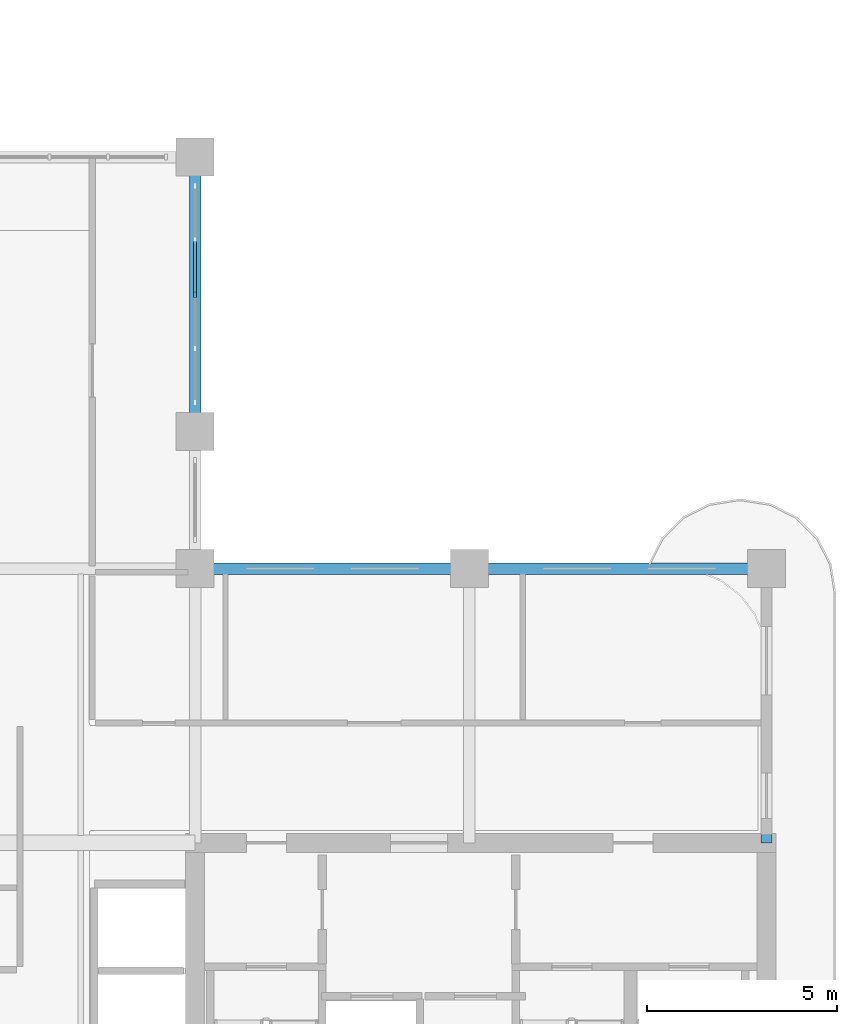
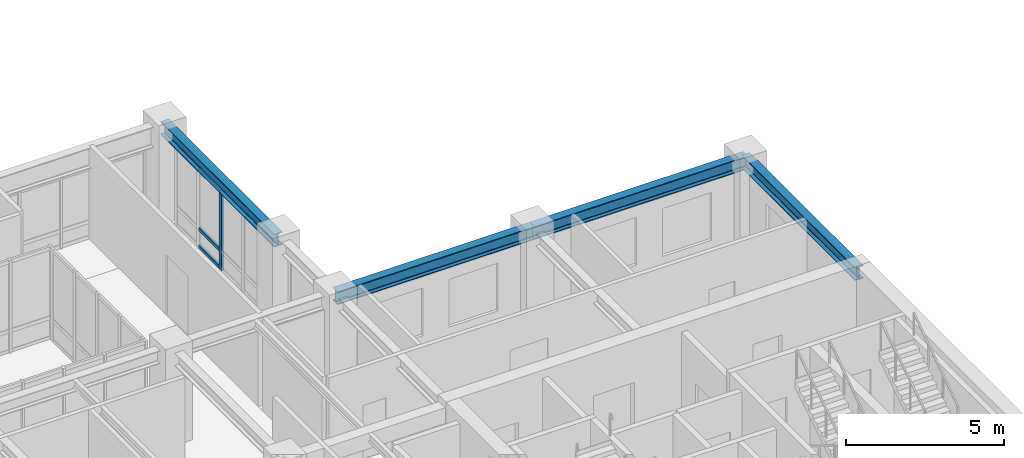
# One storey, part 4 of 21: 4 beams, 4 members, 1 element without a shape of its own.
"""IFC4 building model written with IfcOpenShell, lengths in metres."""

from ifc_helpers import new_model, si_unit, derived_unit, direction, frame, origin, origin_2d, place, context, subcontext, project, spatial, rectangle, i_section, extrude, source, transform, mapped, material, layer, layer_set, material_profile, profile_set, type_object, type_shapes, element, aggregate, save


model = new_model("IFC4")

# Units and contexts
model_context = context("Model", 3, precision=1e-05, world=origin(), true_north=direction((0.0, 1.0)))
body_context = subcontext(model_context, "Body", "Model", "MODEL_VIEW")
ifc_project = project(units=[si_unit("LENGTHUNIT", "METRE"), si_unit("AREAUNIT", "SQUARE_METRE"), si_unit("VOLUMEUNIT", "CUBIC_METRE"), si_unit("PLANEANGLEUNIT", "RADIAN"), si_unit("MASSUNIT", "GRAM", prefix="KILO"), si_unit("THERMODYNAMICTEMPERATUREUNIT", "KELVIN"), si_unit("POWERUNIT", "WATT"), derived_unit("THERMALTRANSMITTANCEUNIT", [(si_unit("POWERUNIT", "WATT"), 1), (si_unit("AREAUNIT", "SQUARE_METRE"), -1), (si_unit("THERMODYNAMICTEMPERATUREUNIT", "KELVIN"), -1)])], contexts=[model_context])

# Site, building, storey
site_placement = place(None, origin())
site = spatial("IfcSite", under=ifc_project, at=site_placement, CompositionType="ELEMENT")
building_placement = place(site_placement, origin())
building = spatial("IfcBuilding", under=site, at=building_placement, Name="Zahravan Archway Hotel and Residences", CompositionType="ELEMENT")
storey_placement = place(building_placement, frame((0.0, 0.0, 165.699951171875)))
storey = spatial("IfcBuildingStorey", under=building, at=storey_placement, Name="L41", CompositionType="ELEMENT", Elevation=165.699951171875)

# Beams
ifc_material_1 = material(Name="Structural Steel S355JR", Category="steel")
ifc_material_profile_1 = material_profile(ifc_material_1, i_section(OverallWidth=0.300048828125, OverallDepth=0.5, WebThickness=0.014404296875, FlangeThickness=0.028076171875, FilletRadius=0.027099609375, at=origin_2d()), Name="HEB 500", Category="steel")
ifc_profile_set_1 = profile_set([ifc_material_profile_1], Name="Structural Steel S355JR")
beam_type = type_object("IfcBeamType", Name="BM-PRI-HEB500", PredefinedType="BEAM", material=ifc_profile_set_1)
shared_shape_1 = source(origin(), body_context, "Body", "SweptSolid", [
    extrude(i_section(OverallWidth=0.300048828125, OverallDepth=0.5, WebThickness=0.014404296875, FlangeThickness=0.028076171875, FilletRadius=0.027099609375, at=origin_2d()), origin(), (0.0, 0.0, 1.0), 7.2001953125),
])
type_shapes(beam_type, [shared_shape_1])
beam_1_placement = place(storey_placement, frame((49.800048828125, 14.39990234375, 3.35009765625), z_axis=(0.0, 1.0, 0.0), x_axis=(-1.0, 0.0, 0.0)))
element("IfcBeam", 1, at=beam_1_placement, inside=storey, type_object=beam_type, Name="L41 Primary Girder NS-45", PredefinedType="BEAM", context=body_context, shape_type="MappedRepresentation", body=[
    mapped(shared_shape_1, transform((0.0, 0.0, 0.0), scale=1.0)),
])
shared_shape_2 = source(origin(), body_context, "Body", "SweptSolid", [
    extrude(i_section(OverallWidth=0.300048828125, OverallDepth=0.5, WebThickness=0.014404296875, FlangeThickness=0.028076171875, FilletRadius=0.027099609375, at=origin_2d()), origin(), (0.0, 0.0, 1.0), 7.199951171875),
])
for number, where, z_axis, x_axis, name in (
    (2, (34.800048828125, 21.60009765625, 3.35009765625), (1.0, 0.0, 0.0), (0.0, 1.0, 0.0), "L41 Primary Girder EW-14"),
    (3, (34.800048828125, 25.199951171875, 3.35009765625), (0.0, 1.0, 0.0), (-1.0, 0.0, 0.0), "L41 Primary Girder NS-43"),
):
    element("IfcBeam", number, at=place(storey_placement, frame(where, z_axis=z_axis, x_axis=x_axis)), inside=storey, type_object=beam_type, Name=name, PredefinedType="BEAM", context=body_context, shape_type="MappedRepresentation", body=[
        mapped(shared_shape_2, transform((0.0, 0.0, 0.0), scale=1.0)),
    ])
shared_shape_3 = source(origin(), body_context, "Body", "SweptSolid", [
    extrude(i_section(OverallWidth=0.300048828125, OverallDepth=0.5, WebThickness=0.014404296875, FlangeThickness=0.028076171875, FilletRadius=0.027099609375, at=origin_2d()), origin(), (0.0, 0.0, 1.0), 7.800048828125),
])
beam_2_placement = place(storey_placement, frame((42.0, 21.60009765625, 3.35009765625), z_axis=(1.0, 0.0, 0.0), x_axis=(0.0, 1.0, 0.0)))
element("IfcBeam", 4, at=beam_2_placement, inside=storey, type_object=beam_type, Name="L41 Primary Girder EW-15", PredefinedType="BEAM", context=body_context, shape_type="MappedRepresentation", body=[
    mapped(shared_shape_3, transform((0.0, 0.0, 0.0), scale=1.0)),
])

# Curtain wall, members
ifc_material_2 = material(Name="Bronze-Anodized Unitised Aluminium & Low-E Glass", Category="aluminium")
ifc_layer = layer(ifc_material_2, 0.179931640625, Name="Bronze-Anodized Unitised Aluminium & Low-E Glass", Category="aluminium")
ifc_layer_set = layer_set([ifc_layer], Name="Bronze-Anodized Unitised Aluminium & Low-E Glass")
curtain_wall_type = type_object("IfcCurtainWallType", Name="CW-ATR-GLAZ", PredefinedType="NOTDEFINED", material=ifc_layer_set)
curtain_wall_placement = place(storey_placement, origin())
curtain_wall = element("IfcCurtainWall", 5, at=curtain_wall_placement, inside=storey, type_object=curtain_wall_type, Name="L41 Curtain Wall CW-L41-HNG-E-2", PredefinedType="NOTDEFINED")
ifc_material_3 = material(Name="Bronze-Anodized Extruded Aluminium", Category="aluminium")
ifc_material_profile_2 = material_profile(ifc_material_3, rectangle(XDim=0.080078125, YDim=0.139892578125, at=origin_2d()), Name="TRN 80x140", Category="aluminium")
ifc_profile_set_2 = profile_set([ifc_material_profile_2], Name="Bronze-Anodized Extruded Aluminium")
member_type_1 = type_object("IfcMemberType", Name="CWM-TRN-140", PredefinedType="USERDEFINED", material=ifc_profile_set_2)
shared_shape_4 = source(origin(), body_context, "Body", "SweptSolid", [
    extrude(rectangle(XDim=0.080078125, YDim=0.139892578125, at=origin_2d()), origin(), (0.0, 0.0, 1.0), 1.33984375),
])
member_1_placement = place(storey_placement, frame((34.800048828125, 28.840087890625, 0.070068359375), z_axis=(0.0, 1.0, 0.0), x_axis=(-1.0, 0.0, 0.0)))
member_1 = element("IfcMember", 6, at=member_1_placement, type_object=member_type_1, Name="CW-L41-HNG-E-2 Transom 2-1", ObjectType="TRANSOM", PredefinedType="USERDEFINED", context=body_context, shape_type="MappedRepresentation", body=[
    mapped(shared_shape_4, transform((0.0, 0.0, 0.0), scale=1.0)),
])
member_2_placement = place(storey_placement, frame((34.800048828125, 28.840087890625, 0.740478515625), z_axis=(0.0, 1.0, 0.0), x_axis=(-1.0, 0.0, 0.0)))
member_2 = element("IfcMember", 7, at=member_2_placement, type_object=member_type_1, Name="CW-L41-HNG-E-2 Transom 2-2", ObjectType="TRANSOM", PredefinedType="USERDEFINED", context=body_context, shape_type="MappedRepresentation", body=[
    mapped(shared_shape_4, transform((0.0, 0.0, 0.0), scale=1.0)),
])
member_3_placement = place(storey_placement, frame((34.800048828125, 28.840087890625, 3.01513671875), z_axis=(0.0, 1.0, 0.0), x_axis=(-1.0, 0.0, 0.0)))
member_3 = element("IfcMember", 8, at=member_3_placement, type_object=member_type_1, Name="CW-L41-HNG-E-2 Transom 2-3", ObjectType="TRANSOM", PredefinedType="USERDEFINED", context=body_context, shape_type="MappedRepresentation", body=[
    mapped(shared_shape_4, transform((0.0, 0.0, 0.0), scale=1.0)),
])
ifc_material_profile_3 = material_profile(ifc_material_3, rectangle(XDim=0.080078125, YDim=0.159912109375, at=origin_2d()), Name="MUL 80x160", Category="aluminium")
ifc_profile_set_3 = profile_set([ifc_material_profile_3], Name="Bronze-Anodized Extruded Aluminium")
member_type_2 = type_object("IfcMemberType", Name="CWM-MUL-160", PredefinedType="MULLION", material=ifc_profile_set_3)
shared_shape_5 = source(origin(), body_context, "Body", "SweptSolid", [
    extrude(rectangle(XDim=0.080078125, YDim=0.159912109375, at=origin_2d()), origin(), (0.0, 0.0, 1.0), 3.0849609375),
])
member_4_placement = place(storey_placement, frame((34.800048828125, 28.800048828125, 0.0), z_axis=(0.0, 0.0, 1.0), x_axis=(1.0, 0.0, 0.0)))
member_4 = element("IfcMember", 9, at=member_4_placement, type_object=member_type_2, Name="CW-L41-HNG-E-2 Mullion 2", PredefinedType="MULLION", context=body_context, shape_type="MappedRepresentation", body=[
    mapped(shared_shape_5, transform((0.0, 0.0, 0.0), scale=1.0)),
])
aggregate(curtain_wall, [member_4, member_1, member_2, member_3])

save(model, "model.ifc")
